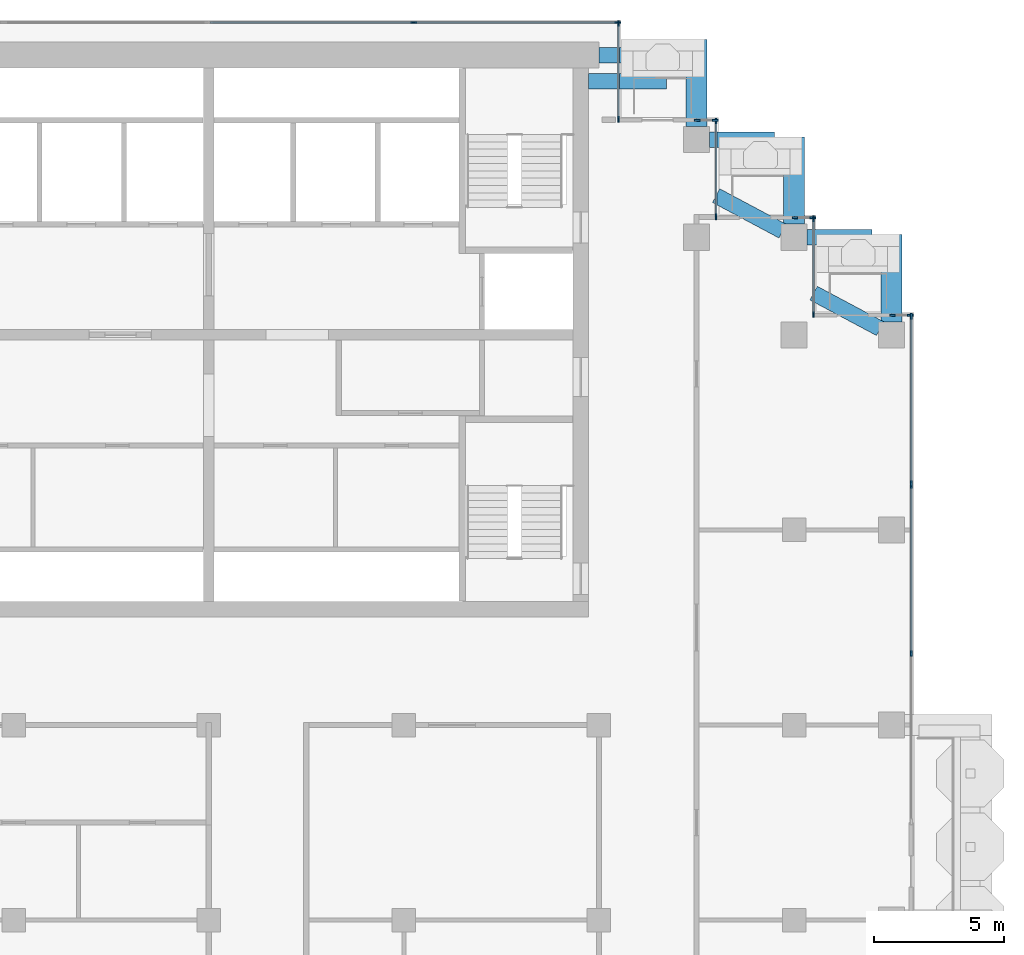
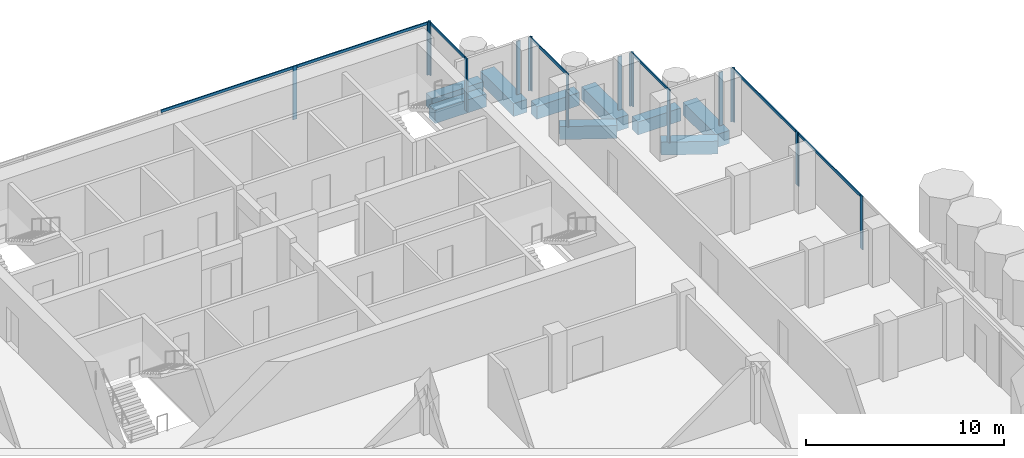
# One storey, part 6 of 18: 25 members, 9 beams, 9 elements without a shape of their own.
"""IFC4 building model written with IfcOpenShell, lengths in metres."""

from ifc_helpers import new_model, si_unit, direction, frame, origin, origin_2d, place, context, subcontext, project, spatial, rectangle, extrude, material, material_profile, profile_set, type_object, element, aggregate, save


model = new_model("IFC4")

# Units and contexts
model_context = context("Model", 3, precision=1e-05, world=origin(), true_north=direction((0.0, 1.0)))
body_context = subcontext(model_context, "Body", "Model", "MODEL_VIEW")
ifc_project = project(units=[si_unit("LENGTHUNIT", "METRE"), si_unit("AREAUNIT", "SQUARE_METRE"), si_unit("VOLUMEUNIT", "CUBIC_METRE"), si_unit("PLANEANGLEUNIT", "RADIAN"), si_unit("MASSUNIT", "GRAM", prefix="KILO")], contexts=[model_context])

# Site, building, storey
site_placement = place(None, origin())
site = spatial("IfcSite", under=ifc_project, at=site_placement, CompositionType="ELEMENT")
building_placement = place(site_placement, origin())
building = spatial("IfcBuilding", under=site, at=building_placement, Name="Pilkhan Gate Tower", CompositionType="ELEMENT")
storey_placement = place(building_placement, frame((0.0, 0.0, 192.300048828125)))
storey = spatial("IfcBuildingStorey", under=building, at=storey_placement, Name="L49", CompositionType="ELEMENT", Elevation=192.300048828125)

# Beams
ifc_material_1 = material(Name="Concrete C50/60", Category="concrete")
ifc_material_profile_1 = material_profile(ifc_material_1, rectangle(XDim=0.60009765625, YDim=0.800048828125, at=origin_2d()), Name="RC 600x800")
ifc_profile_set_1 = profile_set([ifc_material_profile_1], Name="Concrete C50/60")
beam_type_1 = type_object("IfcBeamType", Name="Cantilever beam CB1 RC 600x800 C50/60", PredefinedType="BEAM", material=ifc_profile_set_1)
for number, where, z_axis, x_axis, name in (
    (1, (90.0, 93.25, -0.699951171875), (1.0, 0.0, 0.0), (0.0, 1.0, 0.0), "Balcony beam NE.2 L49"),
    (2, (89.60009765625, 92.25, -0.699951171875), (1.0, 0.0, 0.0), (0.0, 1.0, 0.0), "Balcony beam NE.3 L49"),
):
    element("IfcBeam", number, at=place(storey_placement, frame(where, z_axis=z_axis, x_axis=x_axis)), inside=storey, type_object=beam_type_1, Name=name, PredefinedType="BEAM", context=body_context, shape_type="SweptSolid", body=[
        extrude(rectangle(XDim=0.60009765625, YDim=0.800048828125, at=origin_2d()), origin(), (0.0, 0.0, 1.0), 3.0),
    ])
beam_1_placement = place(storey_placement, frame((94.25, 90.0, -0.699951171875), z_axis=(1.0, 0.0, 0.0), x_axis=(0.0, 1.0, 0.0)))
element("IfcBeam", 3, at=beam_1_placement, inside=storey, type_object=beam_type_1, Name="Balcony beam NE1.2 L49", PredefinedType="BEAM", context=body_context, shape_type="SweptSolid", body=[
    extrude(rectangle(XDim=0.60009765625, YDim=0.800048828125, at=origin_2d()), origin(), (0.0, 0.0, 1.0), 2.5),
])
beam_2_placement = place(storey_placement, frame((97.058837890625, 86.4853515625, -0.699951171875), z_axis=(-0.882348280344, 0.470596974251, 0.0), x_axis=(-0.470596974251, -0.882348280344, 0.0)))
element("IfcBeam", 4, at=beam_2_placement, inside=storey, type_object=beam_type_1, Name="Balcony beam NE1.3 L49", PredefinedType="BEAM", context=body_context, shape_type="SweptSolid", body=[
    extrude(rectangle(XDim=0.60009765625, YDim=0.800048828125, at=origin_2d()), origin(), (0.0, 0.0, 1.0), 2.900146484375),
])
beam_3_placement = place(storey_placement, frame((98.0, 86.25, -0.699951171875), z_axis=(1.0, 0.0, 0.0), x_axis=(0.0, 1.0, 0.0)))
element("IfcBeam", 5, at=beam_3_placement, inside=storey, type_object=beam_type_1, Name="Balcony beam NE2.2 L49", PredefinedType="BEAM", context=body_context, shape_type="SweptSolid", body=[
    extrude(rectangle(XDim=0.60009765625, YDim=0.800048828125, at=origin_2d()), origin(), (0.0, 0.0, 1.0), 2.5),
])
beam_4_placement = place(storey_placement, frame((100.808837890625, 82.7353515625, -0.699951171875), z_axis=(-0.882348280344, 0.470596974251, 0.0), x_axis=(-0.470596974251, -0.882348280344, 0.0)))
element("IfcBeam", 6, at=beam_4_placement, inside=storey, type_object=beam_type_1, Name="Balcony beam NE2.3 L49", PredefinedType="BEAM", context=body_context, shape_type="SweptSolid", body=[
    extrude(rectangle(XDim=0.60009765625, YDim=0.800048828125, at=origin_2d()), origin(), (0.0, 0.0, 1.0), 2.900146484375),
])
ifc_material_profile_2 = material_profile(ifc_material_1, rectangle(XDim=0.800048828125, YDim=0.800048828125, at=origin_2d()), Name="RC 800x800")
ifc_profile_set_2 = profile_set([ifc_material_profile_2], Name="Concrete C50/60")
beam_type_2 = type_object("IfcBeamType", Name="Cantilever beam CB2 RC 800x800 C50/60", PredefinedType="BEAM", material=ifc_profile_set_2)
for number, where, z_axis, x_axis, name in (
    (7, (93.75, 90.5, -0.699951171875), (0.0, 1.0, 0.0), (-1.0, 0.0, 0.0), "Balcony beam NE.1 L49"),
    (8, (97.5, 86.75, -0.699951171875), (0.0, 1.0, 0.0), (-1.0, 0.0, 0.0), "Balcony beam NE1.1 L49"),
    (9, (101.25, 83.0, -0.699951171875), (0.0, 1.0, 0.0), (-1.0, 0.0, 0.0), "Balcony beam NE2.1 L49"),
):
    element("IfcBeam", number, at=place(storey_placement, frame(where, z_axis=z_axis, x_axis=x_axis)), inside=storey, type_object=beam_type_2, Name=name, PredefinedType="BEAM", context=body_context, shape_type="SweptSolid", body=[
        extrude(rectangle(XDim=0.800048828125, YDim=0.800048828125, at=origin_2d()), origin(), (0.0, 0.0, 1.0), 3.35009765625),
    ])

# Curtain wall, members
ifc_material_2 = material(Name="Pale anodised aluminium, clear low-iron double glazing", Category="aluminium")
curtain_wall_type = type_object("IfcCurtainWallType", Name="Office unitised curtain wall CW-O2", PredefinedType="USERDEFINED", material=ifc_material_2)
curtain_wall_1_placement = place(storey_placement, origin())
curtain_wall_1 = element("IfcCurtainWall", 10, at=curtain_wall_1_placement, inside=storey, type_object=curtain_wall_type, Name="Office unitised curtain wall CW-O2 L49 E", ObjectType="UNITISED CURTAIN WALL", PredefinedType="USERDEFINED")
ifc_material_3 = material(Name="Pale anodised aluminium", Category="aluminium")
ifc_material_profile_3 = material_profile(ifc_material_3, rectangle(XDim=0.06494140625, YDim=0.22509765625, at=origin_2d()), Name="Mullion 225x65")
ifc_profile_set_3 = profile_set([ifc_material_profile_3], Name="Pale anodised aluminium")
member_type_1 = type_object("IfcMemberType", Name="Mullion CW-O2 225x65", PredefinedType="MULLION", material=ifc_profile_set_3)
member_1_placement = place(storey_placement, frame((102.0, 70.25, 0.0), z_axis=(0.0, 0.0, 1.0), x_axis=(-1.0, 0.0, 0.0)))
member_1 = element("IfcMember", 11, at=member_1_placement, type_object=member_type_1, Name="CW-O2 mullion 2", PredefinedType="MULLION", context=body_context, shape_type="SweptSolid", body=[
    extrude(rectangle(XDim=0.06494140625, YDim=0.22509765625, at=origin_2d()), origin(), (0.0, 0.0, 1.0), 3.300048828125),
])
member_2_placement = place(storey_placement, frame((102.0, 76.717529296875, 0.0), z_axis=(0.0, 0.0, 1.0), x_axis=(-1.0, 0.0, 0.0)))
member_2 = element("IfcMember", 12, at=member_2_placement, type_object=member_type_1, Name="CW-O2 mullion 3", PredefinedType="MULLION", context=body_context, shape_type="SweptSolid", body=[
    extrude(rectangle(XDim=0.06494140625, YDim=0.22509765625, at=origin_2d()), origin(), (0.0, 0.0, 1.0), 3.300048828125),
])

curtain_wall_2_placement = place(storey_placement, origin())
curtain_wall_2 = element("IfcCurtainWall", 13, at=curtain_wall_2_placement, inside=storey, type_object=curtain_wall_type, Name="Office unitised curtain wall CW-O2 L49 E", ObjectType="UNITISED CURTAIN WALL", PredefinedType="USERDEFINED")
member_3_placement = place(storey_placement, frame((102.0, 76.782470703125, 0.0), z_axis=(0.0, 0.0, 1.0), x_axis=(-1.0, 0.0, 0.0)))
member_3 = element("IfcMember", 14, at=member_3_placement, type_object=member_type_1, Name="CW-O2 mullion 1", PredefinedType="MULLION", context=body_context, shape_type="SweptSolid", body=[
    extrude(rectangle(XDim=0.06494140625, YDim=0.22509765625, at=origin_2d()), origin(), (0.0, 0.0, 1.0), 3.300048828125),
])
member_4_placement = place(storey_placement, frame((102.0, 83.217529296875, 0.0), z_axis=(0.0, 0.0, 1.0), x_axis=(-1.0, 0.0, 0.0)))
member_4 = element("IfcMember", 15, at=member_4_placement, type_object=member_type_1, Name="CW-O2 mullion 2", PredefinedType="MULLION", context=body_context, shape_type="SweptSolid", body=[
    extrude(rectangle(XDim=0.06494140625, YDim=0.22509765625, at=origin_2d()), origin(), (0.0, 0.0, 1.0), 3.300048828125),
])

curtain_wall_3_placement = place(storey_placement, origin())
curtain_wall_3 = element("IfcCurtainWall", 16, at=curtain_wall_3_placement, inside=storey, type_object=curtain_wall_type, Name="Office unitised curtain wall CW-O2 L49 N", ObjectType="UNITISED CURTAIN WALL", PredefinedType="USERDEFINED")
member_5_placement = place(storey_placement, frame((101.282470703125, 83.25, 0.0), z_axis=(0.0, 0.0, 1.0), x_axis=(0.0, 1.0, 0.0)))
member_5 = element("IfcMember", 17, at=member_5_placement, type_object=member_type_1, Name="CW-O2 mullion 1", PredefinedType="MULLION", context=body_context, shape_type="SweptSolid", body=[
    extrude(rectangle(XDim=0.06494140625, YDim=0.22509765625, at=origin_2d()), origin(), (0.0, 0.0, 1.0), 3.300048828125),
])
member_6_placement = place(storey_placement, frame((101.967529296875, 83.25, 0.0), z_axis=(0.0, 0.0, 1.0), x_axis=(0.0, 1.0, 0.0)))
member_6 = element("IfcMember", 18, at=member_6_placement, type_object=member_type_1, Name="CW-O2 mullion 2", PredefinedType="MULLION", context=body_context, shape_type="SweptSolid", body=[
    extrude(rectangle(XDim=0.06494140625, YDim=0.22509765625, at=origin_2d()), origin(), (0.0, 0.0, 1.0), 3.300048828125),
])
aggregate(curtain_wall_3, [member_5, member_6])

curtain_wall_4_placement = place(storey_placement, origin())
curtain_wall_4 = element("IfcCurtainWall", 19, at=curtain_wall_4_placement, inside=storey, type_object=curtain_wall_type, Name="Office unitised curtain wall CW-O2 L49 E", ObjectType="UNITISED CURTAIN WALL", PredefinedType="USERDEFINED")
member_7_placement = place(storey_placement, frame((98.25, 83.282470703125, 0.0), z_axis=(0.0, 0.0, 1.0), x_axis=(-1.0, 0.0, 0.0)))
member_7 = element("IfcMember", 20, at=member_7_placement, type_object=member_type_1, Name="CW-O2 mullion 1", PredefinedType="MULLION", context=body_context, shape_type="SweptSolid", body=[
    extrude(rectangle(XDim=0.06494140625, YDim=0.22509765625, at=origin_2d()), origin(), (0.0, 0.0, 1.0), 3.300048828125),
])
member_8_placement = place(storey_placement, frame((98.25, 86.967529296875, 0.0), z_axis=(0.0, 0.0, 1.0), x_axis=(-1.0, 0.0, 0.0)))
member_8 = element("IfcMember", 21, at=member_8_placement, type_object=member_type_1, Name="CW-O2 mullion 2", PredefinedType="MULLION", context=body_context, shape_type="SweptSolid", body=[
    extrude(rectangle(XDim=0.06494140625, YDim=0.22509765625, at=origin_2d()), origin(), (0.0, 0.0, 1.0), 3.300048828125),
])

curtain_wall_5_placement = place(storey_placement, origin())
curtain_wall_5 = element("IfcCurtainWall", 22, at=curtain_wall_5_placement, inside=storey, type_object=curtain_wall_type, Name="Office unitised curtain wall CW-O2 L49 N", ObjectType="UNITISED CURTAIN WALL", PredefinedType="USERDEFINED")
member_9_placement = place(storey_placement, frame((97.532470703125, 87.0, 0.0), z_axis=(0.0, 0.0, 1.0), x_axis=(0.0, 1.0, 0.0)))
member_9 = element("IfcMember", 23, at=member_9_placement, type_object=member_type_1, Name="CW-O2 mullion 1", PredefinedType="MULLION", context=body_context, shape_type="SweptSolid", body=[
    extrude(rectangle(XDim=0.06494140625, YDim=0.22509765625, at=origin_2d()), origin(), (0.0, 0.0, 1.0), 3.300048828125),
])
member_10_placement = place(storey_placement, frame((98.217529296875, 87.0, 0.0), z_axis=(0.0, 0.0, 1.0), x_axis=(0.0, 1.0, 0.0)))
member_10 = element("IfcMember", 24, at=member_10_placement, type_object=member_type_1, Name="CW-O2 mullion 2", PredefinedType="MULLION", context=body_context, shape_type="SweptSolid", body=[
    extrude(rectangle(XDim=0.06494140625, YDim=0.22509765625, at=origin_2d()), origin(), (0.0, 0.0, 1.0), 3.300048828125),
])
aggregate(curtain_wall_5, [member_9, member_10])

curtain_wall_6_placement = place(storey_placement, origin())
curtain_wall_6 = element("IfcCurtainWall", 25, at=curtain_wall_6_placement, inside=storey, type_object=curtain_wall_type, Name="Office unitised curtain wall CW-O2 L49 E", ObjectType="UNITISED CURTAIN WALL", PredefinedType="USERDEFINED")
member_11_placement = place(storey_placement, frame((94.5, 87.032470703125, 0.0), z_axis=(0.0, 0.0, 1.0), x_axis=(-1.0, 0.0, 0.0)))
member_11 = element("IfcMember", 26, at=member_11_placement, type_object=member_type_1, Name="CW-O2 mullion 1", PredefinedType="MULLION", context=body_context, shape_type="SweptSolid", body=[
    extrude(rectangle(XDim=0.06494140625, YDim=0.22509765625, at=origin_2d()), origin(), (0.0, 0.0, 1.0), 3.300048828125),
])
member_12_placement = place(storey_placement, frame((94.5, 90.717529296875, 0.0), z_axis=(0.0, 0.0, 1.0), x_axis=(-1.0, 0.0, 0.0)))
member_12 = element("IfcMember", 27, at=member_12_placement, type_object=member_type_1, Name="CW-O2 mullion 2", PredefinedType="MULLION", context=body_context, shape_type="SweptSolid", body=[
    extrude(rectangle(XDim=0.06494140625, YDim=0.22509765625, at=origin_2d()), origin(), (0.0, 0.0, 1.0), 3.300048828125),
])

curtain_wall_7_placement = place(storey_placement, origin())
curtain_wall_7 = element("IfcCurtainWall", 28, at=curtain_wall_7_placement, inside=storey, type_object=curtain_wall_type, Name="Office unitised curtain wall CW-O2 L49 N", ObjectType="UNITISED CURTAIN WALL", PredefinedType="USERDEFINED")
member_13_placement = place(storey_placement, frame((93.782470703125, 90.75, 0.0), z_axis=(0.0, 0.0, 1.0), x_axis=(0.0, 1.0, 0.0)))
member_13 = element("IfcMember", 29, at=member_13_placement, type_object=member_type_1, Name="CW-O2 mullion 1", PredefinedType="MULLION", context=body_context, shape_type="SweptSolid", body=[
    extrude(rectangle(XDim=0.06494140625, YDim=0.22509765625, at=origin_2d()), origin(), (0.0, 0.0, 1.0), 3.300048828125),
])
member_14_placement = place(storey_placement, frame((94.467529296875, 90.75, 0.0), z_axis=(0.0, 0.0, 1.0), x_axis=(0.0, 1.0, 0.0)))
member_14 = element("IfcMember", 30, at=member_14_placement, type_object=member_type_1, Name="CW-O2 mullion 2", PredefinedType="MULLION", context=body_context, shape_type="SweptSolid", body=[
    extrude(rectangle(XDim=0.06494140625, YDim=0.22509765625, at=origin_2d()), origin(), (0.0, 0.0, 1.0), 3.300048828125),
])
aggregate(curtain_wall_7, [member_13, member_14])

curtain_wall_8_placement = place(storey_placement, origin())
curtain_wall_8 = element("IfcCurtainWall", 31, at=curtain_wall_8_placement, inside=storey, type_object=curtain_wall_type, Name="Office unitised curtain wall CW-O2 L49 E", ObjectType="UNITISED CURTAIN WALL", PredefinedType="USERDEFINED")
member_15_placement = place(storey_placement, frame((90.75, 90.782470703125, 0.0), z_axis=(0.0, 0.0, 1.0), x_axis=(-1.0, 0.0, 0.0)))
member_15 = element("IfcMember", 32, at=member_15_placement, type_object=member_type_1, Name="CW-O2 mullion 1", PredefinedType="MULLION", context=body_context, shape_type="SweptSolid", body=[
    extrude(rectangle(XDim=0.06494140625, YDim=0.22509765625, at=origin_2d()), origin(), (0.0, 0.0, 1.0), 3.300048828125),
])
member_16_placement = place(storey_placement, frame((90.75, 94.467529296875, 0.0), z_axis=(0.0, 0.0, 1.0), x_axis=(-1.0, 0.0, 0.0)))
member_16 = element("IfcMember", 33, at=member_16_placement, type_object=member_type_1, Name="CW-O2 mullion 2", PredefinedType="MULLION", context=body_context, shape_type="SweptSolid", body=[
    extrude(rectangle(XDim=0.06494140625, YDim=0.22509765625, at=origin_2d()), origin(), (0.0, 0.0, 1.0), 3.300048828125),
])

curtain_wall_9_placement = place(storey_placement, origin())
curtain_wall_9 = element("IfcCurtainWall", 34, at=curtain_wall_9_placement, inside=storey, type_object=curtain_wall_type, Name="Office unitised curtain wall CW-O2 L49 N", ObjectType="UNITISED CURTAIN WALL", PredefinedType="USERDEFINED")
member_17_placement = place(storey_placement, frame((82.875, 94.5, 0.0), z_axis=(0.0, 0.0, 1.0), x_axis=(0.0, 1.0, 0.0)))
member_17 = element("IfcMember", 35, at=member_17_placement, type_object=member_type_1, Name="CW-O2 mullion 2", PredefinedType="MULLION", context=body_context, shape_type="SweptSolid", body=[
    extrude(rectangle(XDim=0.06494140625, YDim=0.22509765625, at=origin_2d()), origin(), (0.0, 0.0, 1.0), 3.300048828125),
])
member_18_placement = place(storey_placement, frame((90.717529296875, 94.5, 0.0), z_axis=(0.0, 0.0, 1.0), x_axis=(0.0, 1.0, 0.0)))
member_18 = element("IfcMember", 36, at=member_18_placement, type_object=member_type_1, Name="CW-O2 mullion 3", PredefinedType="MULLION", context=body_context, shape_type="SweptSolid", body=[
    extrude(rectangle(XDim=0.06494140625, YDim=0.22509765625, at=origin_2d()), origin(), (0.0, 0.0, 1.0), 3.300048828125),
])

# Member
ifc_material_profile_4 = material_profile(ifc_material_3, rectangle(XDim=0.06494140625, YDim=0.1650390625, at=origin_2d()), Name="Transom 165x65")
ifc_profile_set_4 = profile_set([ifc_material_profile_4], Name="Pale anodised aluminium")
member_type_2 = type_object("IfcMemberType", Name="Transom CW-O2 165x65", PredefinedType="USERDEFINED", material=ifc_profile_set_4)
member_19_placement = place(storey_placement, frame((102.0, 70.282470703125, 3.217529296875), z_axis=(0.0, 1.0, 0.0), x_axis=(-1.0, 0.0, 0.0)))
member_19 = element("IfcMember", 37, at=member_19_placement, type_object=member_type_2, Name="CW-O2 transom 2", ObjectType="TRANSOM", PredefinedType="USERDEFINED", context=body_context, shape_type="SweptSolid", body=[
    extrude(rectangle(XDim=0.06494140625, YDim=0.1650390625, at=origin_2d()), origin(), (0.0, 0.0, 1.0), 6.402587890625),
])

aggregate(curtain_wall_1, [member_1, member_2, member_19])

member_20_placement = place(storey_placement, frame((102.0, 76.81494140625, 3.217529296875), z_axis=(0.0, 1.0, 0.0), x_axis=(-1.0, 0.0, 0.0)))
member_20 = element("IfcMember", 38, at=member_20_placement, type_object=member_type_2, Name="CW-O2 transom 1", ObjectType="TRANSOM", PredefinedType="USERDEFINED", context=body_context, shape_type="SweptSolid", body=[
    extrude(rectangle(XDim=0.06494140625, YDim=0.1650390625, at=origin_2d()), origin(), (0.0, 0.0, 1.0), 6.3701171875),
])

aggregate(curtain_wall_2, [member_3, member_4, member_20])

member_21_placement = place(storey_placement, frame((98.25, 83.31494140625, 3.217529296875), z_axis=(0.0, 1.0, 0.0), x_axis=(-1.0, 0.0, 0.0)))
member_21 = element("IfcMember", 39, at=member_21_placement, type_object=member_type_2, Name="CW-O2 transom 1", ObjectType="TRANSOM", PredefinedType="USERDEFINED", context=body_context, shape_type="SweptSolid", body=[
    extrude(rectangle(XDim=0.06494140625, YDim=0.1650390625, at=origin_2d()), origin(), (0.0, 0.0, 1.0), 3.6201171875),
])

aggregate(curtain_wall_4, [member_7, member_8, member_21])

member_22_placement = place(storey_placement, frame((94.5, 87.06494140625, 3.217529296875), z_axis=(0.0, 1.0, 0.0), x_axis=(-1.0, 0.0, 0.0)))
member_22 = element("IfcMember", 40, at=member_22_placement, type_object=member_type_2, Name="CW-O2 transom 1", ObjectType="TRANSOM", PredefinedType="USERDEFINED", context=body_context, shape_type="SweptSolid", body=[
    extrude(rectangle(XDim=0.06494140625, YDim=0.1650390625, at=origin_2d()), origin(), (0.0, 0.0, 1.0), 3.6201171875),
])

aggregate(curtain_wall_6, [member_11, member_12, member_22])

member_23_placement = place(storey_placement, frame((90.75, 90.81494140625, 3.217529296875), z_axis=(0.0, 1.0, 0.0), x_axis=(-1.0, 0.0, 0.0)))
member_23 = element("IfcMember", 41, at=member_23_placement, type_object=member_type_2, Name="CW-O2 transom 1", ObjectType="TRANSOM", PredefinedType="USERDEFINED", context=body_context, shape_type="SweptSolid", body=[
    extrude(rectangle(XDim=0.06494140625, YDim=0.1650390625, at=origin_2d()), origin(), (0.0, 0.0, 1.0), 3.6201171875),
])

aggregate(curtain_wall_8, [member_15, member_16, member_23])

member_24_placement = place(storey_placement, frame((75.06494140625, 94.5, 3.217529296875), z_axis=(1.0, 0.0, 0.0), x_axis=(0.0, 1.0, 0.0)))
member_24 = element("IfcMember", 42, at=member_24_placement, type_object=member_type_2, Name="CW-O2 transom 1", ObjectType="TRANSOM", PredefinedType="USERDEFINED", context=body_context, shape_type="SweptSolid", body=[
    extrude(rectangle(XDim=0.06494140625, YDim=0.1650390625, at=origin_2d()), origin(), (0.0, 0.0, 1.0), 7.777587890625),
])

member_25_placement = place(storey_placement, frame((82.907470703125, 94.5, 3.217529296875), z_axis=(1.0, 0.0, 0.0), x_axis=(0.0, 1.0, 0.0)))
member_25 = element("IfcMember", 43, at=member_25_placement, type_object=member_type_2, Name="CW-O2 transom 2", ObjectType="TRANSOM", PredefinedType="USERDEFINED", context=body_context, shape_type="SweptSolid", body=[
    extrude(rectangle(XDim=0.06494140625, YDim=0.1650390625, at=origin_2d()), origin(), (0.0, 0.0, 1.0), 7.777587890625),
])

aggregate(curtain_wall_9, [member_17, member_18, member_24, member_25])

save(model, "model.ifc")
